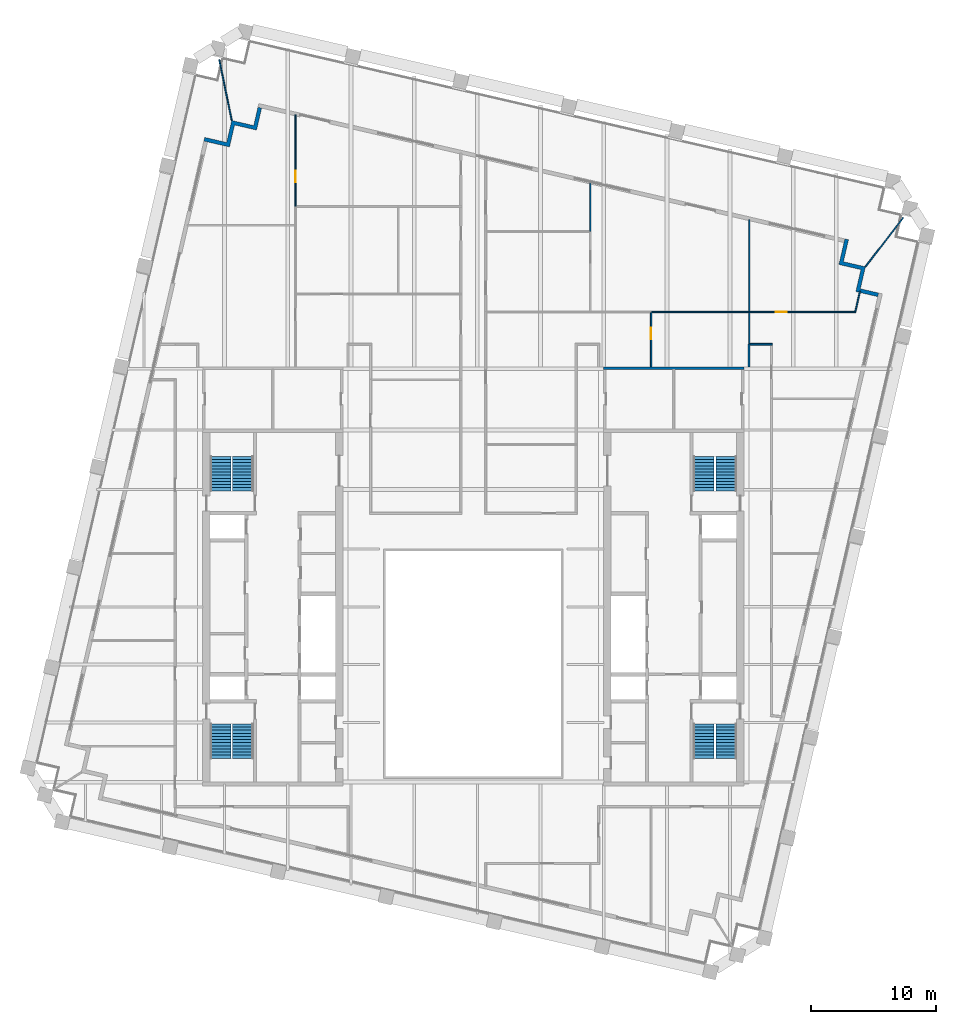
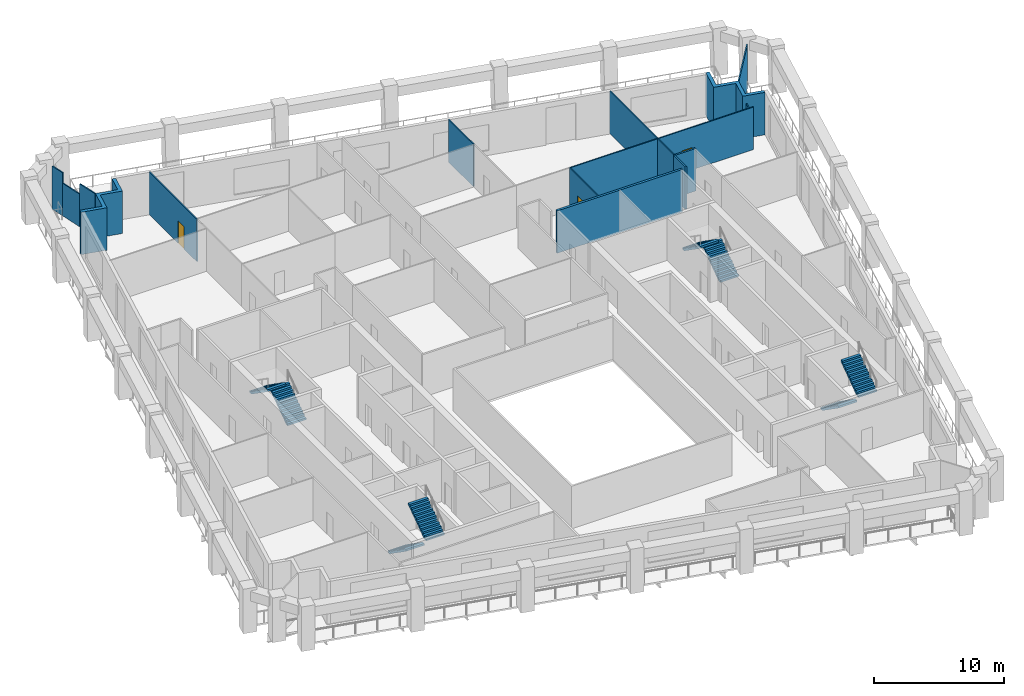
# One storey, part 8 of 10: 17 walls, 8 stair flights, 3 doors, 3 openings, 4 elements without a shape of their own.
"""IFC4 building model written with IfcOpenShell, lengths in metres."""

from ifc_helpers import new_model, si_unit, direction, frame, frame_2d, origin, place, context, subcontext, project, spatial, polyline, rectangle, outline, extrude, material, layer, layer_set, type_object, element, fill, aggregate, save


model = new_model("IFC4")

# Units and contexts
model_context = context("Model", 3, precision=1e-05, world=origin(), true_north=direction((0.0, 1.0)))
body_context = subcontext(model_context, "Body", "Model", "MODEL_VIEW")
ifc_project = project(units=[si_unit("LENGTHUNIT", "METRE"), si_unit("AREAUNIT", "SQUARE_METRE"), si_unit("VOLUMEUNIT", "CUBIC_METRE"), si_unit("PLANEANGLEUNIT", "RADIAN"), si_unit("MASSUNIT", "GRAM", prefix="KILO")], contexts=[model_context])

# Site, building, storey
site_placement = place(None, origin())
site = spatial("IfcSite", under=ifc_project, at=site_placement, CompositionType="ELEMENT")
building_placement = place(site_placement, origin())
building = spatial("IfcBuilding", under=site, at=building_placement, Name="Ogive Exchange Tower", CompositionType="ELEMENT")
storey_placement = place(building_placement, frame((0.0, 0.0, 268.199951171875)))
storey = spatial("IfcBuildingStorey", under=building, at=storey_placement, Name="L58", CompositionType="ELEMENT", Elevation=268.199951171875)

# Walls
ifc_material_1 = material(Name="Fire partition EI 60 150")
ifc_layer_1 = layer(ifc_material_1, 0.14990234375)
ifc_layer_set_1 = layer_set([ifc_layer_1], Name="Fire partition EI 60 150")
wall_type_1 = type_object("IfcWallType", Name="Fire partition EI 60 150", PredefinedType="PARTITIONING", material=ifc_layer_set_1)
wall_1_placement = place(storey_placement, frame((22.0, 30.699951171875, 0.0), z_axis=(0.0, 0.0, 1.0), x_axis=(0.0, 1.0, 0.0)))
element("IfcWall", 1, at=wall_1_placement, inside=storey, type_object=wall_type_1, Name="L58-PWL-058", PredefinedType="PARTITIONING", context=body_context, shape_type="SweptSolid", body=[
    extrude(rectangle(XDim=1.800048828125, YDim=0.14990234375, at=frame_2d((0.89990234375, 0.0))), origin(), (0.0, 0.0, 1.0), 4.0),
])
wall_2_placement = place(storey_placement, frame((21.97998046875, 32.5, 0.0), z_axis=(0.0, 0.0, 1.0), x_axis=(1.0, 0.0, 0.0)))
element("IfcWall", 2, at=wall_2_placement, inside=storey, type_object=wall_type_1, Name="L58-PWL-059", PredefinedType="PARTITIONING", context=body_context, shape_type="SweptSolid", body=[
    extrude(rectangle(XDim=1.89501953125, YDim=0.14990234375, at=frame_2d((0.947509765625, 0.0))), origin(), (0.0, 0.0, 1.0), 4.0),
])
ifc_material_2 = material(Name="Precast concrete C40/50", Category="concrete")
ifc_layer_2 = layer(ifc_material_2, 0.300048828125)
ifc_layer_set_2 = layer_set([ifc_layer_2], Name="Limestone-faced wall 300")
wall_type_2 = type_object("IfcWallType", Name="Limestone-faced wall 300", PredefinedType="STANDARD", material=ifc_layer_set_2)
wall_3_placement = place(storey_placement, origin())
element("IfcWall", 3, at=wall_3_placement, inside=storey, type_object=wall_type_2, Name="External corner wall C2", PredefinedType="STANDARD", context=body_context, shape_type="SweptSolid", body=[
    extrude(outline(polyline([(30.931396484375, 38.453369140625), (29.177490234375, 38.8583984375), (29.64990234375, 40.904541015625), (29.942138671875, 40.8369140625), (29.537109375, 39.0830078125), (31.291015625, 38.67822265625), (30.88623046875, 36.92431640625), (32.34765625, 36.5869140625), (32.2802734375, 36.294677734375), (30.5263671875, 36.699462890625), (30.931396484375, 38.453369140625)])), origin(), (0.0, 0.0, 1.0), 4.0),
])
wall_4_placement = place(storey_placement, origin())
element("IfcWall", 4, at=wall_4_placement, inside=storey, type_object=wall_type_2, Name="External corner wall C3", PredefinedType="STANDARD", context=body_context, shape_type="SweptSolid", body=[
    extrude(outline(polyline([(-21.5048828125, 48.7119140625), (-21.4375, 49.004150390625), (-19.68359375, 48.599365234375), (-19.27880859375, 50.353271484375), (-17.52490234375, 49.9482421875), (-17.1875, 51.409912109375), (-16.89501953125, 51.34228515625), (-17.300048828125, 49.58837890625), (-19.053955078125, 49.993408203125), (-19.458740234375, 48.239501953125), (-21.5048828125, 48.7119140625)])), origin(), (0.0, 0.0, 1.0), 4.0),
])
ifc_material_3 = material(Name="Laminated safety glass in steel frame", Category="steel")
ifc_layer_3 = layer(ifc_material_3, 0.10009765625)
ifc_layer_set_3 = layer_set([ifc_layer_3], Name="Loggia end screen 100")
wall_type_3 = type_object("IfcWallType", Name="Loggia end screen 100", PredefinedType="STANDARD", material=ifc_layer_set_3)
wall_5_placement = place(storey_placement, frame((31.291015625, 38.67822265625, -0.050048828125), z_axis=(0.0, 0.0, 1.0), x_axis=(0.610487929458, 0.792025560185, 0.0)))
element("IfcWall", 5, at=wall_5_placement, inside=storey, type_object=wall_type_3, Name="Loggia end screen C2", PredefinedType="STANDARD", context=body_context, shape_type="SweptSolid", body=[
    extrude(rectangle(XDim=4.96240234375, YDim=0.10009765625, at=frame_2d((2.481201171875, 0.0))), origin(), (0.0, 0.0, 1.0), 4.050048828125),
])
wall_6_placement = place(storey_placement, frame((-19.27880859375, 50.353271484375, -0.050048828125), z_axis=(0.0, 0.0, 1.0), x_axis=(-0.201469164347, 0.979494857474, 0.0)))
element("IfcWall", 6, at=wall_6_placement, inside=storey, type_object=wall_type_3, Name="Loggia end screen C3", PredefinedType="STANDARD", context=body_context, shape_type="SweptSolid", body=[
    extrude(rectangle(XDim=1.761962890625, YDim=0.10009765625, at=frame_2d((0.880859375, 0.0))), origin(), (0.0, 0.0, 1.0), 4.050048828125),
])
wall_7_placement = place(storey_placement, frame((-19.6337890625, 52.0791015625, -0.050048828125), z_axis=(0.0, 0.0, 1.0), x_axis=(-0.201461112573, 0.979496513583, 0.0)))
element("IfcWall", 7, at=wall_7_placement, inside=storey, type_object=wall_type_3, Name="Loggia end screen C3", PredefinedType="STANDARD", context=body_context, shape_type="SweptSolid", body=[
    extrude(rectangle(XDim=1.975341796875, YDim=0.10009765625, at=frame_2d((0.98779296875, 0.0))), origin(), (0.0, 0.0, 1.0), 3.070068359375),
])
wall_8_placement = place(storey_placement, frame((-20.03173828125, 54.013916015625, -0.050048828125), z_axis=(0.0, 0.0, 1.0), x_axis=(-0.201517939922, 0.979484823716, 0.0)))
element("IfcWall", 8, at=wall_8_placement, inside=storey, type_object=wall_type_3, Name="Loggia end screen C3", PredefinedType="STANDARD", context=body_context, shape_type="SweptSolid", body=[
    extrude(rectangle(XDim=1.224853515625, YDim=0.10009765625, at=frame_2d((0.6123046875, 0.0))), origin(), (0.0, 0.0, 1.0), 4.050048828125),
])

# Wall, opening, door
ifc_material_4 = material(Name="Partition 100 gypsum")
ifc_layer_4 = layer(ifc_material_4, 0.10009765625)
ifc_layer_set_4 = layer_set([ifc_layer_4], Name="Partition 100 gypsum")
wall_type_4 = type_object("IfcWallType", Name="Partition 100 gypsum", PredefinedType="PARTITIONING", material=ifc_layer_set_4)
wall_9_placement = place(storey_placement, frame((-14.18994140625, 43.449951171875, 0.0), z_axis=(0.0, 0.0, 1.0), x_axis=(0.0, 1.0, 0.0)))
wall_9 = element("IfcWall", 9, at=wall_9_placement, inside=storey, type_object=wall_type_4, Name="L58-PWL-018", PredefinedType="PARTITIONING", context=body_context, shape_type="SweptSolid", body=[
    extrude(rectangle(XDim=7.35009765625, YDim=0.10009765625, at=frame_2d((3.675048828125, 0.0))), origin(), (0.0, 0.0, 1.0), 4.0),
])
opening_1_placement = place(wall_9_placement, frame((1.97998046875, 0.0, 0.0)))
opening_1 = element("IfcOpeningElement", 10, at=opening_1_placement, cuts=wall_9, Name="Opening L58-I20", PredefinedType="OPENING", context=body_context, shape_type="SweptSolid", body=[
    extrude(rectangle(XDim=0.89990234375, YDim=2.10009765625, at=frame_2d((0.449951171875, 1.050048828125))), frame((0.0, 0.06005859375, 0.0), z_axis=(0.0, -1.0, 0.0), x_axis=(1.0, 0.0, 0.0)), (0.0, 0.0, 1.0), 0.1201171875),
])
ifc_material_5 = material(Name="Door 900 x 2100")
door_type = type_object("IfcDoorType", Name="Door 900 x 2100", OperationType="NOTDEFINED", PredefinedType="DOOR", material=ifc_material_5)
door_1_placement = place(opening_1_placement, origin())
door_1 = element("IfcDoor", 11, at=door_1_placement, inside=storey, type_object=door_type, Name="L58-IDR-020", ObjectType="DT1", OperationType="SINGLE_SWING_RIGHT", OverallHeight=2.10009765625, OverallWidth=0.89990234375, PredefinedType="DOOR", context=body_context, shape_type="SweptSolid", body=[
    extrude(rectangle(XDim=0.89990234375, YDim=2.10009765625, at=frame_2d((0.449951171875, 1.050048828125))), frame((0.0, 0.02490234375, 0.0), z_axis=(0.0, -1.0, 0.0), x_axis=(1.0, 0.0, 0.0)), (0.0, 0.0, 1.0), 0.050048828125),
])
fill(opening_1, door_1)

# Wall
wall_10_placement = place(storey_placement, frame((9.340087890625, 41.5, 0.0), z_axis=(0.0, 0.0, 1.0), x_axis=(0.0, 1.0, 0.0)))
element("IfcWall", 12, at=wall_10_placement, inside=storey, type_object=wall_type_4, Name="L58-PWL-050", PredefinedType="PARTITIONING", context=body_context, shape_type="SweptSolid", body=[
    extrude(rectangle(XDim=3.867919921875, YDim=0.10009765625, at=frame_2d((1.93408203125, 0.0))), origin(), (0.0, 0.0, 1.0), 4.0),
])

# Wall, opening, door
wall_11_placement = place(storey_placement, frame((14.18994140625, 35.02001953125, 0.0), z_axis=(0.0, 0.0, 1.0), x_axis=(0.0, -1.0, 0.0)))
wall_11 = element("IfcWall", 13, at=wall_11_placement, inside=storey, type_object=wall_type_4, Name="L58-PWL-057", PredefinedType="PARTITIONING", context=body_context, shape_type="SweptSolid", body=[
    extrude(rectangle(XDim=4.320068359375, YDim=0.10009765625, at=frame_2d((2.16015625, 0.0))), origin(), (0.0, 0.0, 1.0), 4.0),
])
opening_2_placement = place(wall_11_placement, frame((1.219970703125, 0.0, 0.0)))
opening_2 = element("IfcOpeningElement", 14, at=opening_2_placement, cuts=wall_11, Name="Opening L58-I06", PredefinedType="OPENING", context=body_context, shape_type="SweptSolid", body=[
    extrude(rectangle(XDim=0.89990234375, YDim=2.10009765625, at=frame_2d((0.449951171875, 1.050048828125))), frame((0.0, 0.06005859375, 0.0), z_axis=(0.0, -1.0, 0.0), x_axis=(1.0, 0.0, 0.0)), (0.0, 0.0, 1.0), 0.1201171875),
])
door_2_placement = place(opening_2_placement, origin())
door_2 = element("IfcDoor", 15, at=door_2_placement, inside=storey, type_object=door_type, Name="L58-IDR-006", ObjectType="DT1", OperationType="SINGLE_SWING_RIGHT", OverallHeight=2.10009765625, OverallWidth=0.89990234375, PredefinedType="DOOR", context=body_context, shape_type="SweptSolid", body=[
    extrude(rectangle(XDim=0.89990234375, YDim=2.10009765625, at=frame_2d((0.449951171875, 1.050048828125))), frame((0.0, 0.02490234375, 0.0), z_axis=(0.0, -1.0, 0.0), x_axis=(1.0, 0.0, 0.0)), (0.0, 0.0, 1.0), 0.050048828125),
])
fill(opening_2, door_2)

# Walls
wall_12_placement = place(storey_placement, frame((21.97998046875, 35.070068359375, 0.0), z_axis=(0.0, 0.0, 1.0), x_axis=(-1.0, 0.0, 0.0)))
element("IfcWall", 16, at=wall_12_placement, inside=storey, type_object=wall_type_4, Name="L58-PWL-060", PredefinedType="PARTITIONING", context=body_context, shape_type="SweptSolid", body=[
    extrude(rectangle(XDim=7.7900390625, YDim=0.10009765625, at=frame_2d((3.89501953125, 0.0))), origin(), (0.0, 0.0, 1.0), 4.0),
])
wall_13_placement = place(storey_placement, frame((22.030029296875, 35.02001953125, 0.0), z_axis=(0.0, 0.0, 1.0), x_axis=(0.0, -1.0, 0.0)))
element("IfcWall", 17, at=wall_13_placement, inside=storey, type_object=wall_type_4, Name="L58-PWL-061", PredefinedType="PARTITIONING", context=body_context, shape_type="SweptSolid", body=[
    extrude(rectangle(XDim=2.445068359375, YDim=0.10009765625, at=frame_2d((1.22265625, 0.0))), origin(), (0.0, 0.0, 1.0), 4.0),
])

# Wall, opening, door
wall_14_placement = place(storey_placement, frame((21.97998046875, 35.070068359375, 0.0), z_axis=(0.0, 0.0, 1.0), x_axis=(1.0, 0.0, 0.0)))
wall_14 = element("IfcWall", 18, at=wall_14_placement, inside=storey, type_object=wall_type_4, Name="L58-PWL-062", PredefinedType="PARTITIONING", context=body_context, shape_type="SweptSolid", body=[
    extrude(rectangle(XDim=8.550048828125, YDim=0.10009765625, at=frame_2d((4.27490234375, 0.0))), origin(), (0.0, 0.0, 1.0), 4.0),
])
opening_3_placement = place(wall_14_placement, frame((2.14990234375, 0.0, 0.0)))
opening_3 = element("IfcOpeningElement", 19, at=opening_3_placement, cuts=wall_14, Name="Opening L58-I13", PredefinedType="OPENING", context=body_context, shape_type="SweptSolid", body=[
    extrude(rectangle(XDim=0.89990234375, YDim=2.10009765625, at=frame_2d((0.449951171875, 1.050048828125))), frame((0.0, 0.06005859375, 0.0), z_axis=(0.0, -1.0, 0.0), x_axis=(1.0, 0.0, 0.0)), (0.0, 0.0, 1.0), 0.1201171875),
])
door_3_placement = place(opening_3_placement, origin())
door_3 = element("IfcDoor", 20, at=door_3_placement, inside=storey, type_object=door_type, Name="L58-IDR-013", ObjectType="DT1", OperationType="SINGLE_SWING_RIGHT", OverallHeight=2.10009765625, OverallWidth=0.89990234375, PredefinedType="DOOR", context=body_context, shape_type="SweptSolid", body=[
    extrude(rectangle(XDim=0.89990234375, YDim=2.10009765625, at=frame_2d((0.449951171875, 1.050048828125))), frame((0.0, 0.02490234375, 0.0), z_axis=(0.0, -1.0, 0.0), x_axis=(1.0, 0.0, 0.0)), (0.0, 0.0, 1.0), 0.050048828125),
])
fill(opening_3, door_3)

# Walls
wall_15_placement = place(storey_placement, frame((22.030029296875, 42.43798828125, 0.0), z_axis=(0.0, 0.0, 1.0), x_axis=(0.0, -1.0, 0.0)))
element("IfcWall", 21, at=wall_15_placement, inside=storey, type_object=wall_type_4, Name="L58-PWL-063", PredefinedType="PARTITIONING", context=body_context, shape_type="SweptSolid", body=[
    extrude(rectangle(XDim=7.31787109375, YDim=0.10009765625, at=frame_2d((3.658935546875, 0.0))), origin(), (0.0, 0.0, 1.0), 4.0),
])
wall_16_placement = place(storey_placement, frame((30.490966796875, 35.118896484375, 0.0), z_axis=(0.0, 0.0, 1.0), x_axis=(0.221461033886, 0.975169221453, 0.0)))
element("IfcWall", 22, at=wall_16_placement, inside=storey, type_object=wall_type_4, Name="L58-PWL-071", PredefinedType="PARTITIONING", context=body_context, shape_type="SweptSolid", body=[
    extrude(rectangle(XDim=1.648193359375, YDim=0.10009765625, at=frame_2d((0.82421875, 0.0))), origin(), (0.0, 0.0, 1.0), 3.24609375),
])
ifc_material_6 = material(Name="Concrete C70/85", Category="concrete")
ifc_layer_5 = layer(ifc_material_6, 0.199951171875)
ifc_layer_set_5 = layer_set([ifc_layer_5], Name="RC core wall 200 C70/85")
wall_type_5 = type_object("IfcWallType", Name="RC core wall 200 C70/85", PredefinedType="SHEAR", material=ifc_layer_set_5)
wall_17_placement = place(storey_placement, frame((10.39990234375, 30.60009765625, 0.0), z_axis=(0.0, 0.0, 1.0), x_axis=(1.0, 0.0, 0.0)))
element("IfcWall", 23, at=wall_17_placement, inside=storey, type_object=wall_type_5, Name="E annex N end wall", PredefinedType="SHEAR", context=body_context, shape_type="SweptSolid", body=[
    extrude(rectangle(XDim=11.2001953125, YDim=0.199951171875, at=frame_2d((5.60009765625, 0.0))), origin(), (0.0, 0.0, 1.0), 4.0),
])

# Stair, stair flights
ifc_material_7 = material(Name="Concrete C40/50", Category="concrete")
stair_type = type_object("IfcStairType", Name="Exit stair 1650 wide", PredefinedType="HALF_TURN_STAIR", material=ifc_material_7)
stair_1_placement = place(storey_placement, origin())
stair_1 = element("IfcStair", 24, at=stair_1_placement, inside=storey, type_object=stair_type, Name="L58 exit stair ST1", PredefinedType="HALF_TURN_STAIR")
stair_flight_type = type_object("IfcStairFlightType", Name="Stair flight 1650 wide", PredefinedType="STRAIGHT", material=ifc_material_7)
stair_flight_1_placement = place(storey_placement, frame((-20.175048828125, 2.199951171875, 0.0), z_axis=(0.0, 0.0, 1.0), x_axis=(0.0, -1.0, 0.0)))
stair_flight_1 = element("IfcStairFlight", 25, at=stair_flight_1_placement, type_object=stair_flight_type, Name="ST1 flight 1", NumberOfRisers=12, NumberOfTreads=11, PredefinedType="STRAIGHT", RiserHeight=0.175, TreadLength=0.25, context=body_context, shape_type="SweptSolid", body=[
    extrude(outline(polyline([(0.0, 0.0), (0.0, 0.175048828125), (0.25, 0.175048828125), (0.25, 0.35009765625), (0.5, 0.35009765625), (0.5, 0.52490234375), (0.75, 0.52490234375), (0.75, 0.699951171875), (1.0, 0.699951171875), (1.0, 0.875), (1.25, 0.875), (1.25, 1.050048828125), (1.5, 1.050048828125), (1.5, 1.22509765625), (1.75, 1.22509765625), (1.75, 1.39990234375), (2.0, 1.39990234375), (2.0, 1.574951171875), (2.25, 1.574951171875), (2.25, 1.75), (2.5, 1.75), (2.5, 1.925048828125), (2.75, 1.925048828125), (2.75, 2.10009765625), (2.75, 1.741943359375), (0.261474609375, 0.0), (0.0, 0.0)])), frame((0.0, 0.824951171875, 0.0), z_axis=(0.0, -1.0, 0.0), x_axis=(1.0, 0.0, 0.0)), (0.0, 0.0, 1.0), 1.64990234375),
])
stair_flight_2_placement = place(storey_placement, frame((-18.375, -0.550048828125, 2.10009765625), z_axis=(0.0, 0.0, 1.0), x_axis=(0.0, 1.0, 0.0)))
stair_flight_2 = element("IfcStairFlight", 26, at=stair_flight_2_placement, type_object=stair_flight_type, Name="ST1 flight 2", NumberOfRisers=12, NumberOfTreads=11, PredefinedType="STRAIGHT", RiserHeight=0.175, TreadLength=0.25, context=body_context, shape_type="SweptSolid", body=[
    extrude(outline(polyline([(0.0, 0.0), (0.0, 0.175048828125), (0.25, 0.175048828125), (0.25, 0.35009765625), (0.5, 0.35009765625), (0.5, 0.52490234375), (0.75, 0.52490234375), (0.75, 0.699951171875), (1.0, 0.699951171875), (1.0, 0.875), (1.25, 0.875), (1.25, 1.050048828125), (1.5, 1.050048828125), (1.5, 1.22509765625), (1.75, 1.22509765625), (1.75, 1.39990234375), (2.0, 1.39990234375), (2.0, 1.574951171875), (2.25, 1.574951171875), (2.25, 1.75), (2.5, 1.75), (2.5, 1.925048828125), (2.75, 1.925048828125), (2.75, 2.10009765625), (2.75, 1.741943359375), (0.261474609375, 0.0), (0.0, 0.0)])), frame((0.0, 0.824951171875, 0.0), z_axis=(0.0, -1.0, 0.0), x_axis=(1.0, 0.0, 0.0)), (0.0, 0.0, 1.0), 1.64990234375),
])
aggregate(stair_1, [stair_flight_1, stair_flight_2])

stair_2_placement = place(storey_placement, origin())
stair_2 = element("IfcStair", 27, at=stair_2_placement, inside=storey, type_object=stair_type, Name="L58 exit stair ST2", PredefinedType="HALF_TURN_STAIR")
stair_flight_3_placement = place(storey_placement, frame((-18.375, 20.800048828125, 0.0), z_axis=(0.0, 0.0, 1.0), x_axis=(0.0, 1.0, 0.0)))
stair_flight_3 = element("IfcStairFlight", 28, at=stair_flight_3_placement, type_object=stair_flight_type, Name="ST2 flight 1", NumberOfRisers=12, NumberOfTreads=11, PredefinedType="STRAIGHT", RiserHeight=0.175, TreadLength=0.25, context=body_context, shape_type="SweptSolid", body=[
    extrude(outline(polyline([(0.0, 0.0), (0.0, 0.175048828125), (0.25, 0.175048828125), (0.25, 0.35009765625), (0.5, 0.35009765625), (0.5, 0.52490234375), (0.75, 0.52490234375), (0.75, 0.699951171875), (1.0, 0.699951171875), (1.0, 0.875), (1.25, 0.875), (1.25, 1.050048828125), (1.5, 1.050048828125), (1.5, 1.22509765625), (1.75, 1.22509765625), (1.75, 1.39990234375), (2.0, 1.39990234375), (2.0, 1.574951171875), (2.25, 1.574951171875), (2.25, 1.75), (2.5, 1.75), (2.5, 1.925048828125), (2.75, 1.925048828125), (2.75, 2.10009765625), (2.75, 1.741943359375), (0.261474609375, 0.0), (0.0, 0.0)])), frame((0.0, 0.824951171875, 0.0), z_axis=(0.0, -1.0, 0.0), x_axis=(1.0, 0.0, 0.0)), (0.0, 0.0, 1.0), 1.64990234375),
])
stair_flight_4_placement = place(storey_placement, frame((-20.175048828125, 23.550048828125, 2.10009765625), z_axis=(0.0, 0.0, 1.0), x_axis=(0.0, -1.0, 0.0)))
stair_flight_4 = element("IfcStairFlight", 29, at=stair_flight_4_placement, type_object=stair_flight_type, Name="ST2 flight 2", NumberOfRisers=12, NumberOfTreads=11, PredefinedType="STRAIGHT", RiserHeight=0.175, TreadLength=0.25, context=body_context, shape_type="SweptSolid", body=[
    extrude(outline(polyline([(0.0, 0.0), (0.0, 0.175048828125), (0.25, 0.175048828125), (0.25, 0.35009765625), (0.5, 0.35009765625), (0.5, 0.52490234375), (0.75, 0.52490234375), (0.75, 0.699951171875), (1.0, 0.699951171875), (1.0, 0.875), (1.25, 0.875), (1.25, 1.050048828125), (1.5, 1.050048828125), (1.5, 1.22509765625), (1.75, 1.22509765625), (1.75, 1.39990234375), (2.0, 1.39990234375), (2.0, 1.574951171875), (2.25, 1.574951171875), (2.25, 1.75), (2.5, 1.75), (2.5, 1.925048828125), (2.75, 1.925048828125), (2.75, 2.10009765625), (2.75, 1.741943359375), (0.261474609375, 0.0), (0.0, 0.0)])), frame((0.0, 0.824951171875, 0.0), z_axis=(0.0, -1.0, 0.0), x_axis=(1.0, 0.0, 0.0)), (0.0, 0.0, 1.0), 1.64990234375),
])
aggregate(stair_2, [stair_flight_3, stair_flight_4])

stair_3_placement = place(storey_placement, origin())
stair_3 = element("IfcStair", 30, at=stair_3_placement, inside=storey, type_object=stair_type, Name="L58 exit stair ST3", PredefinedType="HALF_TURN_STAIR")
stair_flight_5_placement = place(storey_placement, frame((18.375, 2.199951171875, 0.0), z_axis=(0.0, 0.0, 1.0), x_axis=(0.0, -1.0, 0.0)))
stair_flight_5 = element("IfcStairFlight", 31, at=stair_flight_5_placement, type_object=stair_flight_type, Name="ST3 flight 1", NumberOfRisers=12, NumberOfTreads=11, PredefinedType="STRAIGHT", RiserHeight=0.175, TreadLength=0.25, context=body_context, shape_type="SweptSolid", body=[
    extrude(outline(polyline([(0.0, 0.0), (0.0, 0.175048828125), (0.25, 0.175048828125), (0.25, 0.35009765625), (0.5, 0.35009765625), (0.5, 0.52490234375), (0.75, 0.52490234375), (0.75, 0.699951171875), (1.0, 0.699951171875), (1.0, 0.875), (1.25, 0.875), (1.25, 1.050048828125), (1.5, 1.050048828125), (1.5, 1.22509765625), (1.75, 1.22509765625), (1.75, 1.39990234375), (2.0, 1.39990234375), (2.0, 1.574951171875), (2.25, 1.574951171875), (2.25, 1.75), (2.5, 1.75), (2.5, 1.925048828125), (2.75, 1.925048828125), (2.75, 2.10009765625), (2.75, 1.741943359375), (0.261474609375, 0.0), (0.0, 0.0)])), frame((0.0, 0.824951171875, 0.0), z_axis=(0.0, -1.0, 0.0), x_axis=(1.0, 0.0, 0.0)), (0.0, 0.0, 1.0), 1.64990234375),
])
stair_flight_6_placement = place(storey_placement, frame((20.175048828125, -0.550048828125, 2.10009765625), z_axis=(0.0, 0.0, 1.0), x_axis=(0.0, 1.0, 0.0)))
stair_flight_6 = element("IfcStairFlight", 32, at=stair_flight_6_placement, type_object=stair_flight_type, Name="ST3 flight 2", NumberOfRisers=12, NumberOfTreads=11, PredefinedType="STRAIGHT", RiserHeight=0.175, TreadLength=0.25, context=body_context, shape_type="SweptSolid", body=[
    extrude(outline(polyline([(0.0, 0.0), (0.0, 0.175048828125), (0.25, 0.175048828125), (0.25, 0.35009765625), (0.5, 0.35009765625), (0.5, 0.52490234375), (0.75, 0.52490234375), (0.75, 0.699951171875), (1.0, 0.699951171875), (1.0, 0.875), (1.25, 0.875), (1.25, 1.050048828125), (1.5, 1.050048828125), (1.5, 1.22509765625), (1.75, 1.22509765625), (1.75, 1.39990234375), (2.0, 1.39990234375), (2.0, 1.574951171875), (2.25, 1.574951171875), (2.25, 1.75), (2.5, 1.75), (2.5, 1.925048828125), (2.75, 1.925048828125), (2.75, 2.10009765625), (2.75, 1.741943359375), (0.261474609375, 0.0), (0.0, 0.0)])), frame((0.0, 0.824951171875, 0.0), z_axis=(0.0, -1.0, 0.0), x_axis=(1.0, 0.0, 0.0)), (0.0, 0.0, 1.0), 1.64990234375),
])
aggregate(stair_3, [stair_flight_5, stair_flight_6])

stair_4_placement = place(storey_placement, origin())
stair_4 = element("IfcStair", 33, at=stair_4_placement, inside=storey, type_object=stair_type, Name="L58 exit stair ST4", PredefinedType="HALF_TURN_STAIR")
stair_flight_7_placement = place(storey_placement, frame((20.175048828125, 20.800048828125, 0.0), z_axis=(0.0, 0.0, 1.0), x_axis=(0.0, 1.0, 0.0)))
stair_flight_7 = element("IfcStairFlight", 34, at=stair_flight_7_placement, type_object=stair_flight_type, Name="ST4 flight 1", NumberOfRisers=12, NumberOfTreads=11, PredefinedType="STRAIGHT", RiserHeight=0.175, TreadLength=0.25, context=body_context, shape_type="SweptSolid", body=[
    extrude(outline(polyline([(0.0, 0.0), (0.0, 0.175048828125), (0.25, 0.175048828125), (0.25, 0.35009765625), (0.5, 0.35009765625), (0.5, 0.52490234375), (0.75, 0.52490234375), (0.75, 0.699951171875), (1.0, 0.699951171875), (1.0, 0.875), (1.25, 0.875), (1.25, 1.050048828125), (1.5, 1.050048828125), (1.5, 1.22509765625), (1.75, 1.22509765625), (1.75, 1.39990234375), (2.0, 1.39990234375), (2.0, 1.574951171875), (2.25, 1.574951171875), (2.25, 1.75), (2.5, 1.75), (2.5, 1.925048828125), (2.75, 1.925048828125), (2.75, 2.10009765625), (2.75, 1.741943359375), (0.261474609375, 0.0), (0.0, 0.0)])), frame((0.0, 0.824951171875, 0.0), z_axis=(0.0, -1.0, 0.0), x_axis=(1.0, 0.0, 0.0)), (0.0, 0.0, 1.0), 1.64990234375),
])
stair_flight_8_placement = place(storey_placement, frame((18.375, 23.550048828125, 2.10009765625), z_axis=(0.0, 0.0, 1.0), x_axis=(0.0, -1.0, 0.0)))
stair_flight_8 = element("IfcStairFlight", 35, at=stair_flight_8_placement, type_object=stair_flight_type, Name="ST4 flight 2", NumberOfRisers=12, NumberOfTreads=11, PredefinedType="STRAIGHT", RiserHeight=0.175, TreadLength=0.25, context=body_context, shape_type="SweptSolid", body=[
    extrude(outline(polyline([(0.0, 0.0), (0.0, 0.175048828125), (0.25, 0.175048828125), (0.25, 0.35009765625), (0.5, 0.35009765625), (0.5, 0.52490234375), (0.75, 0.52490234375), (0.75, 0.699951171875), (1.0, 0.699951171875), (1.0, 0.875), (1.25, 0.875), (1.25, 1.050048828125), (1.5, 1.050048828125), (1.5, 1.22509765625), (1.75, 1.22509765625), (1.75, 1.39990234375), (2.0, 1.39990234375), (2.0, 1.574951171875), (2.25, 1.574951171875), (2.25, 1.75), (2.5, 1.75), (2.5, 1.925048828125), (2.75, 1.925048828125), (2.75, 2.10009765625), (2.75, 1.741943359375), (0.261474609375, 0.0), (0.0, 0.0)])), frame((0.0, 0.824951171875, 0.0), z_axis=(0.0, -1.0, 0.0), x_axis=(1.0, 0.0, 0.0)), (0.0, 0.0, 1.0), 1.64990234375),
])
aggregate(stair_4, [stair_flight_7, stair_flight_8])

save(model, "model.ifc")
